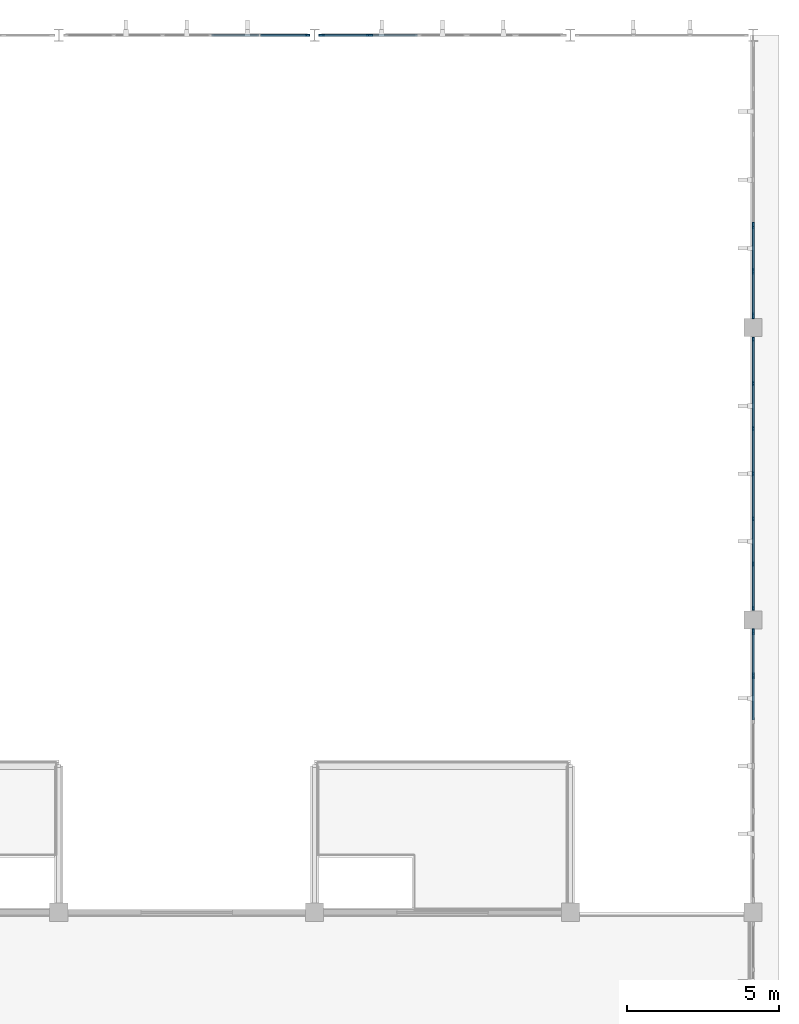
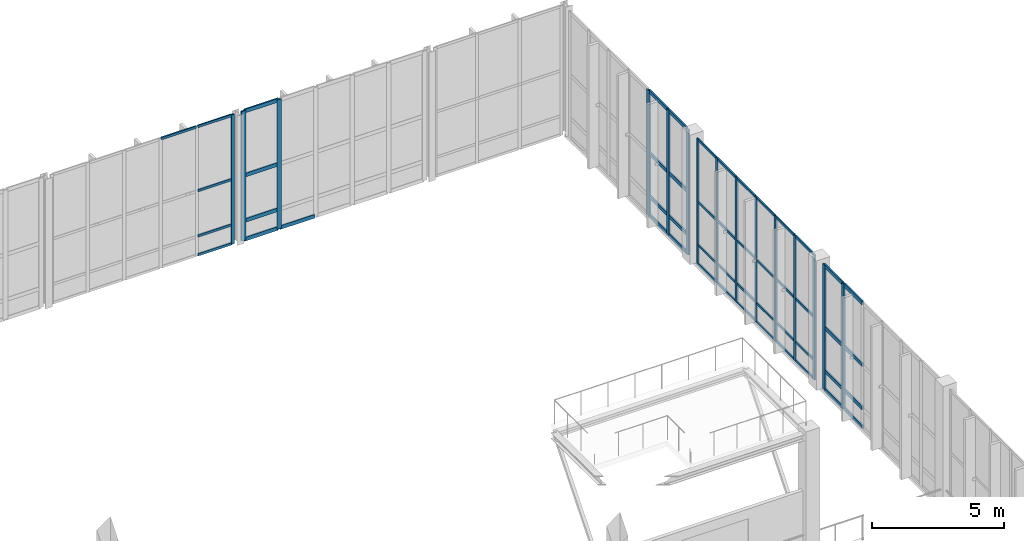
# One storey, part 52 of 105: 65 members, 5 elements without a shape of their own.
"""IFC4 building model written with IfcOpenShell, lengths in metres."""

from ifc_helpers import new_model, si_unit, direction, frame, origin, origin_2d, place, context, subcontext, project, spatial, rectangle, extrude, material, material_profile, profile_set, type_object, element, aggregate, save


model = new_model("IFC4")

# Units and contexts
model_context = context("Model", 3, precision=1e-05, world=origin(), true_north=direction((0.0, 1.0)))
body_context = subcontext(model_context, "Body", "Model", "MODEL_VIEW")
ifc_project = project(units=[si_unit("LENGTHUNIT", "METRE"), si_unit("AREAUNIT", "SQUARE_METRE"), si_unit("VOLUMEUNIT", "CUBIC_METRE"), si_unit("PLANEANGLEUNIT", "RADIAN"), si_unit("MASSUNIT", "GRAM", prefix="KILO")], contexts=[model_context])

# Site, building, storey
site_placement = place(None, origin())
site = spatial("IfcSite", under=ifc_project, at=site_placement, CompositionType="ELEMENT")
building_placement = place(site_placement, origin())
building = spatial("IfcBuilding", under=site, at=building_placement, Name="Tizgana Railside Sports Hall", CompositionType="ELEMENT")
storey_placement = place(building_placement, frame((0.0, 0.0, 6.0)))
storey = spatial("IfcBuildingStorey", under=building, at=storey_placement, Name="L01", CompositionType="ELEMENT", Elevation=6.0)

# Curtain wall, member
ifc_material_1 = material(Name="Anodised aluminium and glass", Category="aluminium")
curtain_wall_type_1 = type_object("IfcCurtainWallType", Name="Unitised Curtain Wall Concourse 1500", PredefinedType="NOTDEFINED", material=ifc_material_1)
curtain_wall_1_placement = place(storey_placement, origin())
curtain_wall_1 = element("IfcCurtainWall", 1, at=curtain_wall_1_placement, inside=storey, type_object=curtain_wall_type_1, Name="L01 Curtain Wall CW-0048", PredefinedType="NOTDEFINED")
ifc_material_2 = material(Name="Anodised aluminium", Category="aluminium")
ifc_material_profile_1 = material_profile(ifc_material_2, rectangle(XDim=0.06005859375, YDim=0.139892578125, at=origin_2d()), Name="Mullion 60x140")
ifc_profile_set_1 = profile_set([ifc_material_profile_1], Name="Anodised aluminium")
member_type_1 = type_object("IfcMemberType", Name="Mullion 60x140", PredefinedType="MULLION", material=ifc_profile_set_1)
member_1_placement = place(storey_placement, frame((157.56494140625, 117.60009765625, 0.0), z_axis=(0.0, 0.0, 1.0), x_axis=(0.0, 1.0, 0.0)))
member_1 = element("IfcMember", 2, at=member_1_placement, type_object=member_type_1, Name="CW-01 mullion 6", PredefinedType="MULLION", context=body_context, shape_type="SweptSolid", body=[
    extrude(rectangle(XDim=0.06005859375, YDim=0.139892578125, at=origin_2d()), origin(), (0.0, 0.0, 1.0), 6.0),
])

# Curtain wall, members
curtain_wall_type_2 = type_object("IfcCurtainWallType", Name="Unitised Curtain Wall Studio 1400", PredefinedType="NOTDEFINED", material=ifc_material_1)
curtain_wall_2_placement = place(storey_placement, origin())
curtain_wall_2 = element("IfcCurtainWall", 3, at=curtain_wall_2_placement, inside=storey, type_object=curtain_wall_type_2, Name="L01 Curtain Wall CW-0066", PredefinedType="NOTDEFINED")
member_2_placement = place(storey_placement, frame((172.199951171875, 98.784912109375, 0.0), z_axis=(0.0, 0.0, 1.0), x_axis=(-1.0, 0.0, 0.0)))
member_2 = element("IfcMember", 4, at=member_2_placement, type_object=member_type_1, Name="CW-03 mullion 1", PredefinedType="MULLION", context=body_context, shape_type="SweptSolid", body=[
    extrude(rectangle(XDim=0.06005859375, YDim=0.139892578125, at=origin_2d()), origin(), (0.0, 0.0, 1.0), 5.800048828125),
])
member_3_placement = place(storey_placement, frame((172.199951171875, 100.236572265625, 0.0), z_axis=(0.0, 0.0, 1.0), x_axis=(-1.0, 0.0, 0.0)))
member_3 = element("IfcMember", 5, at=member_3_placement, type_object=member_type_1, Name="CW-03 mullion 2", PredefinedType="MULLION", context=body_context, shape_type="SweptSolid", body=[
    extrude(rectangle(XDim=0.06005859375, YDim=0.139892578125, at=origin_2d()), origin(), (0.0, 0.0, 1.0), 5.800048828125),
])
member_4_placement = place(storey_placement, frame((172.199951171875, 101.71826171875, 0.0), z_axis=(0.0, 0.0, 1.0), x_axis=(-1.0, 0.0, 0.0)))
member_4 = element("IfcMember", 6, at=member_4_placement, type_object=member_type_1, Name="CW-03 mullion 3", PredefinedType="MULLION", context=body_context, shape_type="SweptSolid", body=[
    extrude(rectangle(XDim=0.06005859375, YDim=0.139892578125, at=origin_2d()), origin(), (0.0, 0.0, 1.0), 5.800048828125),
])
member_5_placement = place(storey_placement, frame((172.199951171875, 103.199951171875, 0.0), z_axis=(0.0, 0.0, 1.0), x_axis=(-1.0, 0.0, 0.0)))
member_5 = element("IfcMember", 7, at=member_5_placement, type_object=member_type_1, Name="CW-03 mullion 4", PredefinedType="MULLION", context=body_context, shape_type="SweptSolid", body=[
    extrude(rectangle(XDim=0.06005859375, YDim=0.139892578125, at=origin_2d()), origin(), (0.0, 0.0, 1.0), 5.800048828125),
])
member_6_placement = place(storey_placement, frame((172.199951171875, 104.681640625, 0.0), z_axis=(0.0, 0.0, 1.0), x_axis=(-1.0, 0.0, 0.0)))
member_6 = element("IfcMember", 8, at=member_6_placement, type_object=member_type_1, Name="CW-03 mullion 5", PredefinedType="MULLION", context=body_context, shape_type="SweptSolid", body=[
    extrude(rectangle(XDim=0.06005859375, YDim=0.139892578125, at=origin_2d()), origin(), (0.0, 0.0, 1.0), 5.800048828125),
])
member_7_placement = place(storey_placement, frame((172.199951171875, 106.163330078125, 0.0), z_axis=(0.0, 0.0, 1.0), x_axis=(-1.0, 0.0, 0.0)))
member_7 = element("IfcMember", 9, at=member_7_placement, type_object=member_type_1, Name="CW-03 mullion 6", PredefinedType="MULLION", context=body_context, shape_type="SweptSolid", body=[
    extrude(rectangle(XDim=0.06005859375, YDim=0.139892578125, at=origin_2d()), origin(), (0.0, 0.0, 1.0), 5.800048828125),
])
member_8_placement = place(storey_placement, frame((172.199951171875, 107.614990234375, 0.0), z_axis=(0.0, 0.0, 1.0), x_axis=(-1.0, 0.0, 0.0)))
member_8 = element("IfcMember", 10, at=member_8_placement, type_object=member_type_1, Name="CW-03 mullion 7", PredefinedType="MULLION", context=body_context, shape_type="SweptSolid", body=[
    extrude(rectangle(XDim=0.06005859375, YDim=0.139892578125, at=origin_2d()), origin(), (0.0, 0.0, 1.0), 5.800048828125),
])

curtain_wall_type_3 = type_object("IfcCurtainWallType", Name="Unitised Curtain Wall Climbing 1600", PredefinedType="NOTDEFINED", material=ifc_material_1)
curtain_wall_3_placement = place(storey_placement, origin())
curtain_wall_3 = element("IfcCurtainWall", 11, at=curtain_wall_3_placement, inside=storey, type_object=curtain_wall_type_3, Name="L01 Curtain Wall CW-0051", PredefinedType="NOTDEFINED")
ifc_material_profile_2 = material_profile(ifc_material_2, rectangle(XDim=0.06494140625, YDim=0.199951171875, at=origin_2d()), Name="Mullion 65x200")
ifc_profile_set_2 = profile_set([ifc_material_profile_2], Name="Anodised aluminium")
member_type_2 = type_object("IfcMemberType", Name="Mullion 65x200", PredefinedType="MULLION", material=ifc_profile_set_2)
member_9_placement = place(storey_placement, frame((158.03759765625, 117.60009765625, 0.0), z_axis=(0.0, 0.0, 1.0), x_axis=(0.0, 1.0, 0.0)))
member_9 = element("IfcMember", 12, at=member_9_placement, type_object=member_type_2, Name="CW-04 mullion 1", PredefinedType="MULLION", context=body_context, shape_type="SweptSolid", body=[
    extrude(rectangle(XDim=0.06494140625, YDim=0.199951171875, at=origin_2d()), origin(), (0.0, 0.0, 1.0), 6.0),
])
member_10_placement = place(storey_placement, frame((159.60302734375, 117.60009765625, 0.0), z_axis=(0.0, 0.0, 1.0), x_axis=(0.0, 1.0, 0.0)))
member_10 = element("IfcMember", 13, at=member_10_placement, type_object=member_type_2, Name="CW-04 mullion 2", PredefinedType="MULLION", context=body_context, shape_type="SweptSolid", body=[
    extrude(rectangle(XDim=0.06494140625, YDim=0.199951171875, at=origin_2d()), origin(), (0.0, 0.0, 1.0), 6.0),
])

curtain_wall_type_4 = type_object("IfcCurtainWallType", Name="Unitised Curtain Wall EastHall 1500", PredefinedType="NOTDEFINED", material=ifc_material_1)
curtain_wall_4_placement = place(storey_placement, origin())
curtain_wall_4 = element("IfcCurtainWall", 14, at=curtain_wall_4_placement, inside=storey, type_object=curtain_wall_type_4, Name="L01 Curtain Wall CW-0063", PredefinedType="NOTDEFINED")
member_11_placement = place(storey_placement, frame((172.199951171875, 96.563232421875, 0.0), z_axis=(0.0, 0.0, 1.0), x_axis=(-1.0, 0.0, 0.0)))
member_11 = element("IfcMember", 15, at=member_11_placement, type_object=member_type_2, Name="CW-08 mullion 6", PredefinedType="MULLION", context=body_context, shape_type="SweptSolid", body=[
    extrude(rectangle(XDim=0.06494140625, YDim=0.199951171875, at=origin_2d()), origin(), (0.0, 0.0, 1.0), 5.800048828125),
])
member_12_placement = place(storey_placement, frame((172.199951171875, 98.012451171875, 0.0), z_axis=(0.0, 0.0, 1.0), x_axis=(-1.0, 0.0, 0.0)))
member_12 = element("IfcMember", 16, at=member_12_placement, type_object=member_type_2, Name="CW-08 mullion 7", PredefinedType="MULLION", context=body_context, shape_type="SweptSolid", body=[
    extrude(rectangle(XDim=0.06494140625, YDim=0.199951171875, at=origin_2d()), origin(), (0.0, 0.0, 1.0), 5.800048828125),
])

curtain_wall_type_5 = type_object("IfcCurtainWallType", Name="Unitised Curtain Wall Passage 1800", PredefinedType="NOTDEFINED", material=ifc_material_1)
curtain_wall_5_placement = place(storey_placement, origin())
curtain_wall_5 = element("IfcCurtainWall", 17, at=curtain_wall_5_placement, inside=storey, type_object=curtain_wall_type_5, Name="L01 Curtain Wall CW-0069", PredefinedType="NOTDEFINED")
member_13_placement = place(storey_placement, frame((172.199951171875, 108.387451171875, 0.0), z_axis=(0.0, 0.0, 1.0), x_axis=(-1.0, 0.0, 0.0)))
member_13 = element("IfcMember", 18, at=member_13_placement, type_object=member_type_2, Name="CW-06 mullion 1", PredefinedType="MULLION", context=body_context, shape_type="SweptSolid", body=[
    extrude(rectangle(XDim=0.06494140625, YDim=0.199951171875, at=origin_2d()), origin(), (0.0, 0.0, 1.0), 5.800048828125),
])
member_14_placement = place(storey_placement, frame((172.199951171875, 109.853271484375, 0.0), z_axis=(0.0, 0.0, 1.0), x_axis=(-1.0, 0.0, 0.0)))
member_14 = element("IfcMember", 19, at=member_14_placement, type_object=member_type_2, Name="CW-06 mullion 2", PredefinedType="MULLION", context=body_context, shape_type="SweptSolid", body=[
    extrude(rectangle(XDim=0.06494140625, YDim=0.199951171875, at=origin_2d()), origin(), (0.0, 0.0, 1.0), 5.800048828125),
])
member_15_placement = place(storey_placement, frame((172.199951171875, 111.3515625, 0.0), z_axis=(0.0, 0.0, 1.0), x_axis=(-1.0, 0.0, 0.0)))
member_15 = element("IfcMember", 20, at=member_15_placement, type_object=member_type_2, Name="CW-06 mullion 3", PredefinedType="MULLION", context=body_context, shape_type="SweptSolid", body=[
    extrude(rectangle(XDim=0.06494140625, YDim=0.199951171875, at=origin_2d()), origin(), (0.0, 0.0, 1.0), 5.800048828125),
])

# Member
ifc_material_profile_3 = material_profile(ifc_material_2, rectangle(XDim=0.06005859375, YDim=0.110107421875, at=origin_2d()), Name="Transom 60x110")
ifc_profile_set_3 = profile_set([ifc_material_profile_3], Name="Anodised aluminium")
member_type_3 = type_object("IfcMemberType", Name="Transom 60x110", PredefinedType="USERDEFINED", material=ifc_profile_set_3)
member_16_placement = place(storey_placement, frame((154.428955078125, 117.60009765625, 5.969970703125), z_axis=(1.0, 0.0, 0.0), x_axis=(0.0, 1.0, 0.0)))
member_16 = element("IfcMember", 21, at=member_16_placement, type_object=member_type_3, Name="CW-01 transom 4.4", ObjectType="TRANSOM", PredefinedType="USERDEFINED", context=body_context, shape_type="SweptSolid", body=[
    extrude(rectangle(XDim=0.06005859375, YDim=0.110107421875, at=origin_2d()), origin(), (0.0, 0.0, 1.0), 1.5380859375),
])

member_17_placement = place(storey_placement, frame((156.027099609375, 117.60009765625, 0.030029296875), z_axis=(1.0, 0.0, 0.0), x_axis=(0.0, 1.0, 0.0)))
member_17 = element("IfcMember", 22, at=member_17_placement, type_object=member_type_3, Name="CW-01 transom 5.1", ObjectType="TRANSOM", PredefinedType="USERDEFINED", context=body_context, shape_type="SweptSolid", body=[
    extrude(rectangle(XDim=0.06005859375, YDim=0.110107421875, at=origin_2d()), origin(), (0.0, 0.0, 1.0), 1.5078125),
])

member_18_placement = place(storey_placement, frame((156.027099609375, 117.60009765625, 0.89990234375), z_axis=(1.0, 0.0, 0.0), x_axis=(0.0, 1.0, 0.0)))
member_18 = element("IfcMember", 23, at=member_18_placement, type_object=member_type_3, Name="CW-01 transom 5.2", ObjectType="TRANSOM", PredefinedType="USERDEFINED", context=body_context, shape_type="SweptSolid", body=[
    extrude(rectangle(XDim=0.06005859375, YDim=0.110107421875, at=origin_2d()), origin(), (0.0, 0.0, 1.0), 1.5078125),
])

member_19_placement = place(storey_placement, frame((156.027099609375, 117.60009765625, 3.0), z_axis=(1.0, 0.0, 0.0), x_axis=(0.0, 1.0, 0.0)))
member_19 = element("IfcMember", 24, at=member_19_placement, type_object=member_type_3, Name="CW-01 transom 5.3", ObjectType="TRANSOM", PredefinedType="USERDEFINED", context=body_context, shape_type="SweptSolid", body=[
    extrude(rectangle(XDim=0.06005859375, YDim=0.110107421875, at=origin_2d()), origin(), (0.0, 0.0, 1.0), 1.5078125),
])

member_20_placement = place(storey_placement, frame((156.027099609375, 117.60009765625, 5.969970703125), z_axis=(1.0, 0.0, 0.0), x_axis=(0.0, 1.0, 0.0)))
member_20 = element("IfcMember", 25, at=member_20_placement, type_object=member_type_3, Name="CW-01 transom 5.4", ObjectType="TRANSOM", PredefinedType="USERDEFINED", context=body_context, shape_type="SweptSolid", body=[
    extrude(rectangle(XDim=0.06005859375, YDim=0.110107421875, at=origin_2d()), origin(), (0.0, 0.0, 1.0), 1.5078125),
])

aggregate(curtain_wall_1, [member_1, member_16, member_17, member_18, member_19, member_20])

member_21_placement = place(storey_placement, frame((172.199951171875, 98.81494140625, 0.030029296875), z_axis=(0.0, 1.0, 0.0), x_axis=(-1.0, 0.0, 0.0)))
member_21 = element("IfcMember", 26, at=member_21_placement, type_object=member_type_3, Name="CW-03 transom 1.1", ObjectType="TRANSOM", PredefinedType="USERDEFINED", context=body_context, shape_type="SweptSolid", body=[
    extrude(rectangle(XDim=0.06005859375, YDim=0.110107421875, at=origin_2d()), origin(), (0.0, 0.0, 1.0), 1.391845703125),
])

member_22_placement = place(storey_placement, frame((172.199951171875, 98.81494140625, 0.89990234375), z_axis=(0.0, 1.0, 0.0), x_axis=(-1.0, 0.0, 0.0)))
member_22 = element("IfcMember", 27, at=member_22_placement, type_object=member_type_3, Name="CW-03 transom 1.2", ObjectType="TRANSOM", PredefinedType="USERDEFINED", context=body_context, shape_type="SweptSolid", body=[
    extrude(rectangle(XDim=0.06005859375, YDim=0.110107421875, at=origin_2d()), origin(), (0.0, 0.0, 1.0), 1.391845703125),
])

member_23_placement = place(storey_placement, frame((172.199951171875, 98.81494140625, 2.89990234375), z_axis=(0.0, 1.0, 0.0), x_axis=(-1.0, 0.0, 0.0)))
member_23 = element("IfcMember", 28, at=member_23_placement, type_object=member_type_3, Name="CW-03 transom 1.3", ObjectType="TRANSOM", PredefinedType="USERDEFINED", context=body_context, shape_type="SweptSolid", body=[
    extrude(rectangle(XDim=0.06005859375, YDim=0.110107421875, at=origin_2d()), origin(), (0.0, 0.0, 1.0), 1.391845703125),
])

member_24_placement = place(storey_placement, frame((172.199951171875, 98.81494140625, 5.77001953125), z_axis=(0.0, 1.0, 0.0), x_axis=(-1.0, 0.0, 0.0)))
member_24 = element("IfcMember", 29, at=member_24_placement, type_object=member_type_3, Name="CW-03 transom 1.4", ObjectType="TRANSOM", PredefinedType="USERDEFINED", context=body_context, shape_type="SweptSolid", body=[
    extrude(rectangle(XDim=0.06005859375, YDim=0.110107421875, at=origin_2d()), origin(), (0.0, 0.0, 1.0), 1.391845703125),
])

member_25_placement = place(storey_placement, frame((172.199951171875, 100.2666015625, 0.030029296875), z_axis=(0.0, 1.0, 0.0), x_axis=(-1.0, 0.0, 0.0)))
member_25 = element("IfcMember", 30, at=member_25_placement, type_object=member_type_3, Name="CW-03 transom 2.1", ObjectType="TRANSOM", PredefinedType="USERDEFINED", context=body_context, shape_type="SweptSolid", body=[
    extrude(rectangle(XDim=0.06005859375, YDim=0.110107421875, at=origin_2d()), origin(), (0.0, 0.0, 1.0), 1.421630859375),
])

member_26_placement = place(storey_placement, frame((172.199951171875, 100.2666015625, 0.89990234375), z_axis=(0.0, 1.0, 0.0), x_axis=(-1.0, 0.0, 0.0)))
member_26 = element("IfcMember", 31, at=member_26_placement, type_object=member_type_3, Name="CW-03 transom 2.2", ObjectType="TRANSOM", PredefinedType="USERDEFINED", context=body_context, shape_type="SweptSolid", body=[
    extrude(rectangle(XDim=0.06005859375, YDim=0.110107421875, at=origin_2d()), origin(), (0.0, 0.0, 1.0), 1.421630859375),
])

member_27_placement = place(storey_placement, frame((172.199951171875, 100.2666015625, 2.89990234375), z_axis=(0.0, 1.0, 0.0), x_axis=(-1.0, 0.0, 0.0)))
member_27 = element("IfcMember", 32, at=member_27_placement, type_object=member_type_3, Name="CW-03 transom 2.3", ObjectType="TRANSOM", PredefinedType="USERDEFINED", context=body_context, shape_type="SweptSolid", body=[
    extrude(rectangle(XDim=0.06005859375, YDim=0.110107421875, at=origin_2d()), origin(), (0.0, 0.0, 1.0), 1.421630859375),
])

member_28_placement = place(storey_placement, frame((172.199951171875, 100.2666015625, 5.77001953125), z_axis=(0.0, 1.0, 0.0), x_axis=(-1.0, 0.0, 0.0)))
member_28 = element("IfcMember", 33, at=member_28_placement, type_object=member_type_3, Name="CW-03 transom 2.4", ObjectType="TRANSOM", PredefinedType="USERDEFINED", context=body_context, shape_type="SweptSolid", body=[
    extrude(rectangle(XDim=0.06005859375, YDim=0.110107421875, at=origin_2d()), origin(), (0.0, 0.0, 1.0), 1.421630859375),
])

member_29_placement = place(storey_placement, frame((172.199951171875, 101.748291015625, 0.030029296875), z_axis=(0.0, 1.0, 0.0), x_axis=(-1.0, 0.0, 0.0)))
member_29 = element("IfcMember", 34, at=member_29_placement, type_object=member_type_3, Name="CW-03 transom 3.1", ObjectType="TRANSOM", PredefinedType="USERDEFINED", context=body_context, shape_type="SweptSolid", body=[
    extrude(rectangle(XDim=0.06005859375, YDim=0.110107421875, at=origin_2d()), origin(), (0.0, 0.0, 1.0), 1.421630859375),
])

member_30_placement = place(storey_placement, frame((172.199951171875, 101.748291015625, 0.89990234375), z_axis=(0.0, 1.0, 0.0), x_axis=(-1.0, 0.0, 0.0)))
member_30 = element("IfcMember", 35, at=member_30_placement, type_object=member_type_3, Name="CW-03 transom 3.2", ObjectType="TRANSOM", PredefinedType="USERDEFINED", context=body_context, shape_type="SweptSolid", body=[
    extrude(rectangle(XDim=0.06005859375, YDim=0.110107421875, at=origin_2d()), origin(), (0.0, 0.0, 1.0), 1.421630859375),
])

member_31_placement = place(storey_placement, frame((172.199951171875, 101.748291015625, 2.89990234375), z_axis=(0.0, 1.0, 0.0), x_axis=(-1.0, 0.0, 0.0)))
member_31 = element("IfcMember", 36, at=member_31_placement, type_object=member_type_3, Name="CW-03 transom 3.3", ObjectType="TRANSOM", PredefinedType="USERDEFINED", context=body_context, shape_type="SweptSolid", body=[
    extrude(rectangle(XDim=0.06005859375, YDim=0.110107421875, at=origin_2d()), origin(), (0.0, 0.0, 1.0), 1.421630859375),
])

member_32_placement = place(storey_placement, frame((172.199951171875, 101.748291015625, 5.77001953125), z_axis=(0.0, 1.0, 0.0), x_axis=(-1.0, 0.0, 0.0)))
member_32 = element("IfcMember", 37, at=member_32_placement, type_object=member_type_3, Name="CW-03 transom 3.4", ObjectType="TRANSOM", PredefinedType="USERDEFINED", context=body_context, shape_type="SweptSolid", body=[
    extrude(rectangle(XDim=0.06005859375, YDim=0.110107421875, at=origin_2d()), origin(), (0.0, 0.0, 1.0), 1.421630859375),
])

member_33_placement = place(storey_placement, frame((172.199951171875, 103.22998046875, 0.030029296875), z_axis=(0.0, 1.0, 0.0), x_axis=(-1.0, 0.0, 0.0)))
member_33 = element("IfcMember", 38, at=member_33_placement, type_object=member_type_3, Name="CW-03 transom 4.1", ObjectType="TRANSOM", PredefinedType="USERDEFINED", context=body_context, shape_type="SweptSolid", body=[
    extrude(rectangle(XDim=0.06005859375, YDim=0.110107421875, at=origin_2d()), origin(), (0.0, 0.0, 1.0), 1.421630859375),
])

member_34_placement = place(storey_placement, frame((172.199951171875, 103.22998046875, 0.89990234375), z_axis=(0.0, 1.0, 0.0), x_axis=(-1.0, 0.0, 0.0)))
member_34 = element("IfcMember", 39, at=member_34_placement, type_object=member_type_3, Name="CW-03 transom 4.2", ObjectType="TRANSOM", PredefinedType="USERDEFINED", context=body_context, shape_type="SweptSolid", body=[
    extrude(rectangle(XDim=0.06005859375, YDim=0.110107421875, at=origin_2d()), origin(), (0.0, 0.0, 1.0), 1.421630859375),
])

member_35_placement = place(storey_placement, frame((172.199951171875, 103.22998046875, 2.89990234375), z_axis=(0.0, 1.0, 0.0), x_axis=(-1.0, 0.0, 0.0)))
member_35 = element("IfcMember", 40, at=member_35_placement, type_object=member_type_3, Name="CW-03 transom 4.3", ObjectType="TRANSOM", PredefinedType="USERDEFINED", context=body_context, shape_type="SweptSolid", body=[
    extrude(rectangle(XDim=0.06005859375, YDim=0.110107421875, at=origin_2d()), origin(), (0.0, 0.0, 1.0), 1.421630859375),
])

member_36_placement = place(storey_placement, frame((172.199951171875, 103.22998046875, 5.77001953125), z_axis=(0.0, 1.0, 0.0), x_axis=(-1.0, 0.0, 0.0)))
member_36 = element("IfcMember", 41, at=member_36_placement, type_object=member_type_3, Name="CW-03 transom 4.4", ObjectType="TRANSOM", PredefinedType="USERDEFINED", context=body_context, shape_type="SweptSolid", body=[
    extrude(rectangle(XDim=0.06005859375, YDim=0.110107421875, at=origin_2d()), origin(), (0.0, 0.0, 1.0), 1.421630859375),
])

member_37_placement = place(storey_placement, frame((172.199951171875, 104.711669921875, 0.030029296875), z_axis=(0.0, 1.0, 0.0), x_axis=(-1.0, 0.0, 0.0)))
member_37 = element("IfcMember", 42, at=member_37_placement, type_object=member_type_3, Name="CW-03 transom 5.1", ObjectType="TRANSOM", PredefinedType="USERDEFINED", context=body_context, shape_type="SweptSolid", body=[
    extrude(rectangle(XDim=0.06005859375, YDim=0.110107421875, at=origin_2d()), origin(), (0.0, 0.0, 1.0), 1.421630859375),
])

member_38_placement = place(storey_placement, frame((172.199951171875, 104.711669921875, 0.89990234375), z_axis=(0.0, 1.0, 0.0), x_axis=(-1.0, 0.0, 0.0)))
member_38 = element("IfcMember", 43, at=member_38_placement, type_object=member_type_3, Name="CW-03 transom 5.2", ObjectType="TRANSOM", PredefinedType="USERDEFINED", context=body_context, shape_type="SweptSolid", body=[
    extrude(rectangle(XDim=0.06005859375, YDim=0.110107421875, at=origin_2d()), origin(), (0.0, 0.0, 1.0), 1.421630859375),
])

member_39_placement = place(storey_placement, frame((172.199951171875, 104.711669921875, 2.89990234375), z_axis=(0.0, 1.0, 0.0), x_axis=(-1.0, 0.0, 0.0)))
member_39 = element("IfcMember", 44, at=member_39_placement, type_object=member_type_3, Name="CW-03 transom 5.3", ObjectType="TRANSOM", PredefinedType="USERDEFINED", context=body_context, shape_type="SweptSolid", body=[
    extrude(rectangle(XDim=0.06005859375, YDim=0.110107421875, at=origin_2d()), origin(), (0.0, 0.0, 1.0), 1.421630859375),
])

member_40_placement = place(storey_placement, frame((172.199951171875, 104.711669921875, 5.77001953125), z_axis=(0.0, 1.0, 0.0), x_axis=(-1.0, 0.0, 0.0)))
member_40 = element("IfcMember", 45, at=member_40_placement, type_object=member_type_3, Name="CW-03 transom 5.4", ObjectType="TRANSOM", PredefinedType="USERDEFINED", context=body_context, shape_type="SweptSolid", body=[
    extrude(rectangle(XDim=0.06005859375, YDim=0.110107421875, at=origin_2d()), origin(), (0.0, 0.0, 1.0), 1.421630859375),
])

member_41_placement = place(storey_placement, frame((172.199951171875, 106.193359375, 0.030029296875), z_axis=(0.0, 1.0, 0.0), x_axis=(-1.0, 0.0, 0.0)))
member_41 = element("IfcMember", 46, at=member_41_placement, type_object=member_type_3, Name="CW-03 transom 6.1", ObjectType="TRANSOM", PredefinedType="USERDEFINED", context=body_context, shape_type="SweptSolid", body=[
    extrude(rectangle(XDim=0.06005859375, YDim=0.110107421875, at=origin_2d()), origin(), (0.0, 0.0, 1.0), 1.3916015625),
])

member_42_placement = place(storey_placement, frame((172.199951171875, 106.193359375, 0.89990234375), z_axis=(0.0, 1.0, 0.0), x_axis=(-1.0, 0.0, 0.0)))
member_42 = element("IfcMember", 47, at=member_42_placement, type_object=member_type_3, Name="CW-03 transom 6.2", ObjectType="TRANSOM", PredefinedType="USERDEFINED", context=body_context, shape_type="SweptSolid", body=[
    extrude(rectangle(XDim=0.06005859375, YDim=0.110107421875, at=origin_2d()), origin(), (0.0, 0.0, 1.0), 1.3916015625),
])

member_43_placement = place(storey_placement, frame((172.199951171875, 106.193359375, 2.89990234375), z_axis=(0.0, 1.0, 0.0), x_axis=(-1.0, 0.0, 0.0)))
member_43 = element("IfcMember", 48, at=member_43_placement, type_object=member_type_3, Name="CW-03 transom 6.3", ObjectType="TRANSOM", PredefinedType="USERDEFINED", context=body_context, shape_type="SweptSolid", body=[
    extrude(rectangle(XDim=0.06005859375, YDim=0.110107421875, at=origin_2d()), origin(), (0.0, 0.0, 1.0), 1.3916015625),
])

member_44_placement = place(storey_placement, frame((172.199951171875, 106.193359375, 5.77001953125), z_axis=(0.0, 1.0, 0.0), x_axis=(-1.0, 0.0, 0.0)))
member_44 = element("IfcMember", 49, at=member_44_placement, type_object=member_type_3, Name="CW-03 transom 6.4", ObjectType="TRANSOM", PredefinedType="USERDEFINED", context=body_context, shape_type="SweptSolid", body=[
    extrude(rectangle(XDim=0.06005859375, YDim=0.110107421875, at=origin_2d()), origin(), (0.0, 0.0, 1.0), 1.3916015625),
])

aggregate(curtain_wall_2, [member_2, member_3, member_4, member_5, member_6, member_7, member_8, member_21, member_22, member_23, member_24, member_25, member_26, member_27, member_28, member_29, member_30, member_31, member_32, member_33, member_34, member_35, member_36, member_37, member_38, member_39, member_40, member_41, member_42, member_43, member_44])

ifc_material_profile_4 = material_profile(ifc_material_2, rectangle(XDim=0.06494140625, YDim=0.169921875, at=origin_2d()), Name="Transom 65x170")
ifc_profile_set_4 = profile_set([ifc_material_profile_4], Name="Anodised aluminium")
member_type_4 = type_object("IfcMemberType", Name="Transom 65x170", PredefinedType="USERDEFINED", material=ifc_profile_set_4)
member_45_placement = place(storey_placement, frame((158.070068359375, 117.60009765625, 0.032470703125), z_axis=(1.0, 0.0, 0.0), x_axis=(0.0, 1.0, 0.0)))
member_45 = element("IfcMember", 50, at=member_45_placement, type_object=member_type_4, Name="CW-04 transom 1.1", ObjectType="TRANSOM", PredefinedType="USERDEFINED", context=body_context, shape_type="SweptSolid", body=[
    extrude(rectangle(XDim=0.06494140625, YDim=0.169921875, at=origin_2d()), origin(), (0.0, 0.0, 1.0), 1.50048828125),
])

member_46_placement = place(storey_placement, frame((158.070068359375, 117.60009765625, 0.89990234375), z_axis=(1.0, 0.0, 0.0), x_axis=(0.0, 1.0, 0.0)))
member_46 = element("IfcMember", 51, at=member_46_placement, type_object=member_type_4, Name="CW-04 transom 1.2", ObjectType="TRANSOM", PredefinedType="USERDEFINED", context=body_context, shape_type="SweptSolid", body=[
    extrude(rectangle(XDim=0.06494140625, YDim=0.169921875, at=origin_2d()), origin(), (0.0, 0.0, 1.0), 1.50048828125),
])

member_47_placement = place(storey_placement, frame((158.070068359375, 117.60009765625, 3.0), z_axis=(1.0, 0.0, 0.0), x_axis=(0.0, 1.0, 0.0)))
member_47 = element("IfcMember", 52, at=member_47_placement, type_object=member_type_4, Name="CW-04 transom 1.3", ObjectType="TRANSOM", PredefinedType="USERDEFINED", context=body_context, shape_type="SweptSolid", body=[
    extrude(rectangle(XDim=0.06494140625, YDim=0.169921875, at=origin_2d()), origin(), (0.0, 0.0, 1.0), 1.50048828125),
])

member_48_placement = place(storey_placement, frame((158.070068359375, 117.60009765625, 5.967529296875), z_axis=(1.0, 0.0, 0.0), x_axis=(0.0, 1.0, 0.0)))
member_48 = element("IfcMember", 53, at=member_48_placement, type_object=member_type_4, Name="CW-04 transom 1.4", ObjectType="TRANSOM", PredefinedType="USERDEFINED", context=body_context, shape_type="SweptSolid", body=[
    extrude(rectangle(XDim=0.06494140625, YDim=0.169921875, at=origin_2d()), origin(), (0.0, 0.0, 1.0), 1.50048828125),
])

member_49_placement = place(storey_placement, frame((159.635498046875, 117.60009765625, 0.032470703125), z_axis=(1.0, 0.0, 0.0), x_axis=(0.0, 1.0, 0.0)))
member_49 = element("IfcMember", 54, at=member_49_placement, type_object=member_type_4, Name="CW-04 transom 2.1", ObjectType="TRANSOM", PredefinedType="USERDEFINED", context=body_context, shape_type="SweptSolid", body=[
    extrude(rectangle(XDim=0.06494140625, YDim=0.169921875, at=origin_2d()), origin(), (0.0, 0.0, 1.0), 1.532958984375),
])

aggregate(curtain_wall_3, [member_9, member_10, member_45, member_46, member_47, member_48, member_49])

member_50_placement = place(storey_placement, frame((172.199951171875, 95.1142578125, 0.032470703125), z_axis=(0.0, 1.0, 0.0), x_axis=(-1.0, 0.0, 0.0)))
member_50 = element("IfcMember", 55, at=member_50_placement, type_object=member_type_4, Name="CW-08 transom 5.1", ObjectType="TRANSOM", PredefinedType="USERDEFINED", context=body_context, shape_type="SweptSolid", body=[
    extrude(rectangle(XDim=0.06494140625, YDim=0.169921875, at=origin_2d()), origin(), (0.0, 0.0, 1.0), 1.41650390625),
])

member_51_placement = place(storey_placement, frame((172.199951171875, 95.1142578125, 0.89990234375), z_axis=(0.0, 1.0, 0.0), x_axis=(-1.0, 0.0, 0.0)))
member_51 = element("IfcMember", 56, at=member_51_placement, type_object=member_type_4, Name="CW-08 transom 5.2", ObjectType="TRANSOM", PredefinedType="USERDEFINED", context=body_context, shape_type="SweptSolid", body=[
    extrude(rectangle(XDim=0.06494140625, YDim=0.169921875, at=origin_2d()), origin(), (0.0, 0.0, 1.0), 1.41650390625),
])

member_52_placement = place(storey_placement, frame((172.199951171875, 95.1142578125, 2.89990234375), z_axis=(0.0, 1.0, 0.0), x_axis=(-1.0, 0.0, 0.0)))
member_52 = element("IfcMember", 57, at=member_52_placement, type_object=member_type_4, Name="CW-08 transom 5.3", ObjectType="TRANSOM", PredefinedType="USERDEFINED", context=body_context, shape_type="SweptSolid", body=[
    extrude(rectangle(XDim=0.06494140625, YDim=0.169921875, at=origin_2d()), origin(), (0.0, 0.0, 1.0), 1.41650390625),
])

member_53_placement = place(storey_placement, frame((172.199951171875, 95.1142578125, 5.767578125), z_axis=(0.0, 1.0, 0.0), x_axis=(-1.0, 0.0, 0.0)))
member_53 = element("IfcMember", 58, at=member_53_placement, type_object=member_type_4, Name="CW-08 transom 5.4", ObjectType="TRANSOM", PredefinedType="USERDEFINED", context=body_context, shape_type="SweptSolid", body=[
    extrude(rectangle(XDim=0.06494140625, YDim=0.169921875, at=origin_2d()), origin(), (0.0, 0.0, 1.0), 1.41650390625),
])

member_54_placement = place(storey_placement, frame((172.199951171875, 96.595947265625, 0.032470703125), z_axis=(0.0, 1.0, 0.0), x_axis=(-1.0, 0.0, 0.0)))
member_54 = element("IfcMember", 59, at=member_54_placement, type_object=member_type_4, Name="CW-08 transom 6.1", ObjectType="TRANSOM", PredefinedType="USERDEFINED", context=body_context, shape_type="SweptSolid", body=[
    extrude(rectangle(XDim=0.06494140625, YDim=0.169921875, at=origin_2d()), origin(), (0.0, 0.0, 1.0), 1.384033203125),
])

member_55_placement = place(storey_placement, frame((172.199951171875, 96.595947265625, 0.89990234375), z_axis=(0.0, 1.0, 0.0), x_axis=(-1.0, 0.0, 0.0)))
member_55 = element("IfcMember", 60, at=member_55_placement, type_object=member_type_4, Name="CW-08 transom 6.2", ObjectType="TRANSOM", PredefinedType="USERDEFINED", context=body_context, shape_type="SweptSolid", body=[
    extrude(rectangle(XDim=0.06494140625, YDim=0.169921875, at=origin_2d()), origin(), (0.0, 0.0, 1.0), 1.384033203125),
])

member_56_placement = place(storey_placement, frame((172.199951171875, 96.595947265625, 2.89990234375), z_axis=(0.0, 1.0, 0.0), x_axis=(-1.0, 0.0, 0.0)))
member_56 = element("IfcMember", 61, at=member_56_placement, type_object=member_type_4, Name="CW-08 transom 6.3", ObjectType="TRANSOM", PredefinedType="USERDEFINED", context=body_context, shape_type="SweptSolid", body=[
    extrude(rectangle(XDim=0.06494140625, YDim=0.169921875, at=origin_2d()), origin(), (0.0, 0.0, 1.0), 1.384033203125),
])

member_57_placement = place(storey_placement, frame((172.199951171875, 96.595947265625, 5.767578125), z_axis=(0.0, 1.0, 0.0), x_axis=(-1.0, 0.0, 0.0)))
member_57 = element("IfcMember", 62, at=member_57_placement, type_object=member_type_4, Name="CW-08 transom 6.4", ObjectType="TRANSOM", PredefinedType="USERDEFINED", context=body_context, shape_type="SweptSolid", body=[
    extrude(rectangle(XDim=0.06494140625, YDim=0.169921875, at=origin_2d()), origin(), (0.0, 0.0, 1.0), 1.384033203125),
])

aggregate(curtain_wall_4, [member_11, member_12, member_50, member_51, member_52, member_53, member_54, member_55, member_56, member_57])

member_58_placement = place(storey_placement, frame((172.199951171875, 108.419921875, 0.032470703125), z_axis=(0.0, 1.0, 0.0), x_axis=(-1.0, 0.0, 0.0)))
member_58 = element("IfcMember", 63, at=member_58_placement, type_object=member_type_4, Name="CW-06 transom 1.1", ObjectType="TRANSOM", PredefinedType="USERDEFINED", context=body_context, shape_type="SweptSolid", body=[
    extrude(rectangle(XDim=0.06494140625, YDim=0.169921875, at=origin_2d()), origin(), (0.0, 0.0, 1.0), 1.40087890625),
])

member_59_placement = place(storey_placement, frame((172.199951171875, 108.419921875, 0.89990234375), z_axis=(0.0, 1.0, 0.0), x_axis=(-1.0, 0.0, 0.0)))
member_59 = element("IfcMember", 64, at=member_59_placement, type_object=member_type_4, Name="CW-06 transom 1.2", ObjectType="TRANSOM", PredefinedType="USERDEFINED", context=body_context, shape_type="SweptSolid", body=[
    extrude(rectangle(XDim=0.06494140625, YDim=0.169921875, at=origin_2d()), origin(), (0.0, 0.0, 1.0), 1.40087890625),
])

member_60_placement = place(storey_placement, frame((172.199951171875, 108.419921875, 2.89990234375), z_axis=(0.0, 1.0, 0.0), x_axis=(-1.0, 0.0, 0.0)))
member_60 = element("IfcMember", 65, at=member_60_placement, type_object=member_type_4, Name="CW-06 transom 1.3", ObjectType="TRANSOM", PredefinedType="USERDEFINED", context=body_context, shape_type="SweptSolid", body=[
    extrude(rectangle(XDim=0.06494140625, YDim=0.169921875, at=origin_2d()), origin(), (0.0, 0.0, 1.0), 1.40087890625),
])

member_61_placement = place(storey_placement, frame((172.199951171875, 108.419921875, 5.767578125), z_axis=(0.0, 1.0, 0.0), x_axis=(-1.0, 0.0, 0.0)))
member_61 = element("IfcMember", 66, at=member_61_placement, type_object=member_type_4, Name="CW-06 transom 1.4", ObjectType="TRANSOM", PredefinedType="USERDEFINED", context=body_context, shape_type="SweptSolid", body=[
    extrude(rectangle(XDim=0.06494140625, YDim=0.169921875, at=origin_2d()), origin(), (0.0, 0.0, 1.0), 1.40087890625),
])

member_62_placement = place(storey_placement, frame((172.199951171875, 109.8857421875, 0.032470703125), z_axis=(0.0, 1.0, 0.0), x_axis=(-1.0, 0.0, 0.0)))
member_62 = element("IfcMember", 67, at=member_62_placement, type_object=member_type_4, Name="CW-06 transom 2.1", ObjectType="TRANSOM", PredefinedType="USERDEFINED", context=body_context, shape_type="SweptSolid", body=[
    extrude(rectangle(XDim=0.06494140625, YDim=0.169921875, at=origin_2d()), origin(), (0.0, 0.0, 1.0), 1.433349609375),
])

member_63_placement = place(storey_placement, frame((172.199951171875, 109.8857421875, 0.89990234375), z_axis=(0.0, 1.0, 0.0), x_axis=(-1.0, 0.0, 0.0)))
member_63 = element("IfcMember", 68, at=member_63_placement, type_object=member_type_4, Name="CW-06 transom 2.2", ObjectType="TRANSOM", PredefinedType="USERDEFINED", context=body_context, shape_type="SweptSolid", body=[
    extrude(rectangle(XDim=0.06494140625, YDim=0.169921875, at=origin_2d()), origin(), (0.0, 0.0, 1.0), 1.433349609375),
])

member_64_placement = place(storey_placement, frame((172.199951171875, 109.8857421875, 2.89990234375), z_axis=(0.0, 1.0, 0.0), x_axis=(-1.0, 0.0, 0.0)))
member_64 = element("IfcMember", 69, at=member_64_placement, type_object=member_type_4, Name="CW-06 transom 2.3", ObjectType="TRANSOM", PredefinedType="USERDEFINED", context=body_context, shape_type="SweptSolid", body=[
    extrude(rectangle(XDim=0.06494140625, YDim=0.169921875, at=origin_2d()), origin(), (0.0, 0.0, 1.0), 1.433349609375),
])

member_65_placement = place(storey_placement, frame((172.199951171875, 109.8857421875, 5.767578125), z_axis=(0.0, 1.0, 0.0), x_axis=(-1.0, 0.0, 0.0)))
member_65 = element("IfcMember", 70, at=member_65_placement, type_object=member_type_4, Name="CW-06 transom 2.4", ObjectType="TRANSOM", PredefinedType="USERDEFINED", context=body_context, shape_type="SweptSolid", body=[
    extrude(rectangle(XDim=0.06494140625, YDim=0.169921875, at=origin_2d()), origin(), (0.0, 0.0, 1.0), 1.433349609375),
])

aggregate(curtain_wall_5, [member_13, member_14, member_15, member_58, member_59, member_60, member_61, member_62, member_63, member_64, member_65])

save(model, "model.ifc")
